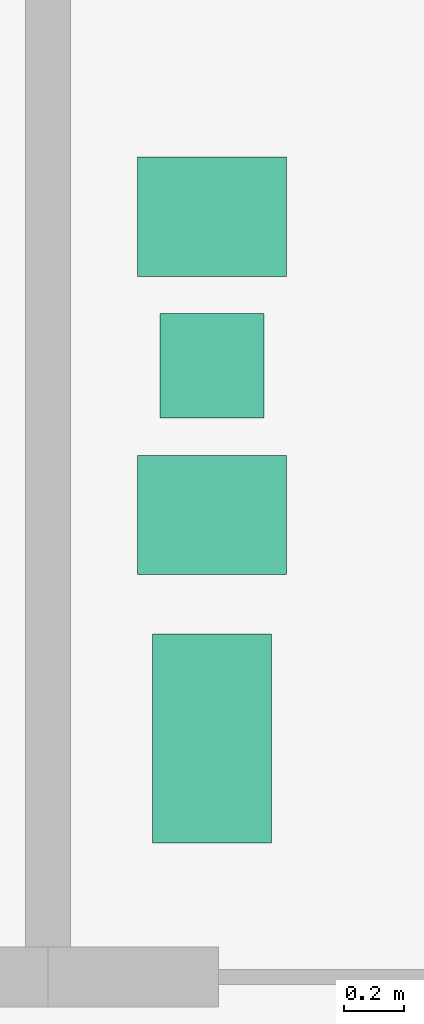
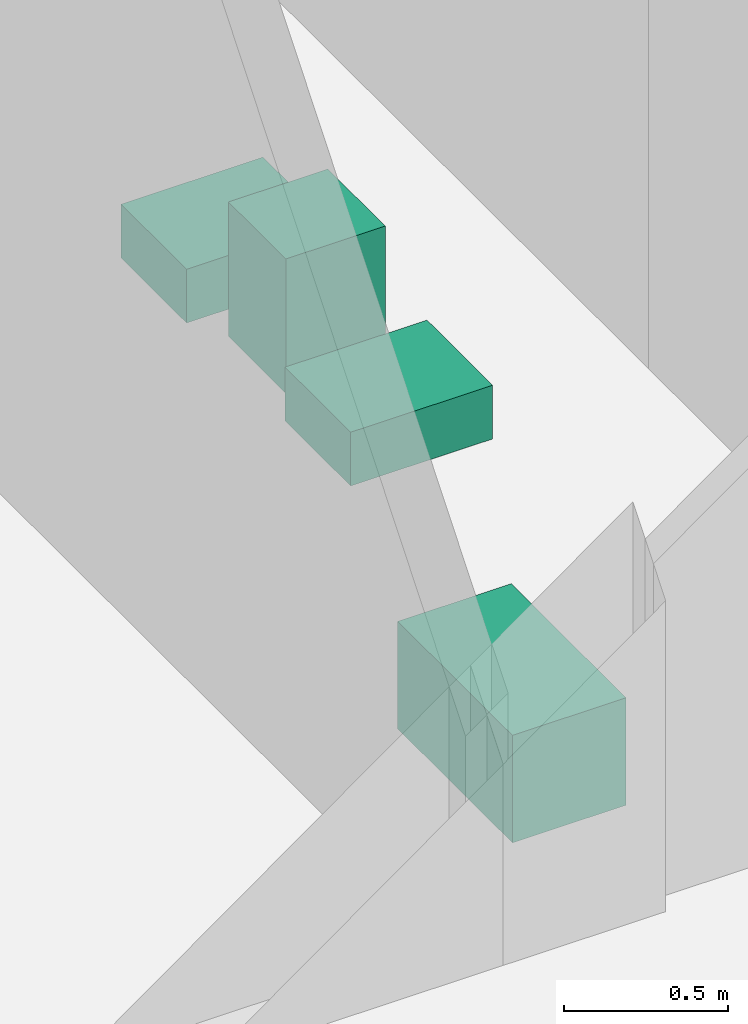
# One storey, part 11 of 11: 4 sanitary terminals.
"""IFC4 building model written with IfcOpenShell, lengths in metres."""

from ifc_helpers import new_model, si_unit, direction, frame, origin, origin_2d, place, context, subcontext, project, spatial, rectangle, extrude, material, type_object, element, save


model = new_model("IFC4")

# Units and contexts
model_context = context("Model", 3, precision=1e-05, world=origin(), true_north=direction((0.0, 1.0)))
body_context = subcontext(model_context, "Body", "Model", "MODEL_VIEW")
ifc_project = project(units=[si_unit("LENGTHUNIT", "METRE"), si_unit("AREAUNIT", "SQUARE_METRE"), si_unit("VOLUMEUNIT", "CUBIC_METRE"), si_unit("PLANEANGLEUNIT", "RADIAN"), si_unit("MASSUNIT", "GRAM", prefix="KILO")], contexts=[model_context])

# Site, building, storey
site_placement = place(None, origin())
site = spatial("IfcSite", under=ifc_project, at=site_placement, CompositionType="ELEMENT")
building_placement = place(site_placement, origin())
building = spatial("IfcBuilding", under=site, at=building_placement, Name="Ostrand Prow Hotel Tower", CompositionType="ELEMENT")
storey_placement = place(building_placement, frame((0.0, 0.0, 19.0)))
storey = spatial("IfcBuildingStorey", under=building, at=storey_placement, Name="L03", CompositionType="ELEMENT", Elevation=19.0)

# Sanitary terminals
ifc_material_1 = material(Name="Vitreous china")
sanitary_terminal_type_1 = type_object("IfcSanitaryTerminalType", Name="Urinal 350x350", PredefinedType="URINAL", material=ifc_material_1)
sanitary_terminal_1_placement = place(storey_placement, frame((73.1806640625, 6.188720703125, 0.800048828125), z_axis=(0.0, 0.0, 1.0), x_axis=(1.0, 0.0, 0.0)))
element("IfcSanitaryTerminal", 1, at=sanitary_terminal_1_placement, inside=storey, type_object=sanitary_terminal_type_1, Name="URINAL", PredefinedType="URINAL", context=body_context, shape_type="SweptSolid", body=[
    extrude(rectangle(XDim=0.35009765625, YDim=0.35009765625, at=origin_2d()), origin(), (0.0, 0.0, 1.0), 0.5),
])
ifc_material_2 = material(Name="Vitreous china")
sanitary_terminal_type_2 = type_object("IfcSanitaryTerminalType", Name="WC pan 360x700", PredefinedType="TOILETPAN", material=ifc_material_2)
sanitary_terminal_2_placement = place(storey_placement, frame((73.1806640625, 4.938720703125, 0.0), z_axis=(0.0, 0.0, 1.0), x_axis=(1.0, 0.0, 0.0)))
element("IfcSanitaryTerminal", 2, at=sanitary_terminal_2_placement, inside=storey, type_object=sanitary_terminal_type_2, Name="PAN", PredefinedType="TOILETPAN", context=body_context, shape_type="SweptSolid", body=[
    extrude(rectangle(XDim=0.39990234375, YDim=0.699951171875, at=origin_2d()), origin(), (0.0, 0.0, 1.0), 0.39990234375),
])
ifc_material_3 = material(Name="Vitreous china")
sanitary_terminal_type_3 = type_object("IfcSanitaryTerminalType", Name="Wash hand basin 500x400", PredefinedType="WASHHANDBASIN", material=ifc_material_3)
for number, where, z_axis, x_axis, name in (
    (3, (73.1806640625, 5.688720703125, 0.7998046875), (0.0, 0.0, 1.0), (1.0, 0.0, 0.0), "WASH HAND BASIN"),
    (4, (73.1806640625, 6.688720703125, 0.7998046875), (0.0, 0.0, 1.0), (1.0, 0.0, 0.0), "WASH HAND BASIN"),
):
    element("IfcSanitaryTerminal", number, at=place(storey_placement, frame(where, z_axis=z_axis, x_axis=x_axis)), inside=storey, type_object=sanitary_terminal_type_3, Name=name, PredefinedType="WASHHANDBASIN", context=body_context, shape_type="SweptSolid", body=[
        extrude(rectangle(XDim=0.5, YDim=0.39990234375, at=origin_2d()), origin(), (0.0, 0.0, 1.0), 0.199951171875),
    ])

save(model, "model.ifc")
